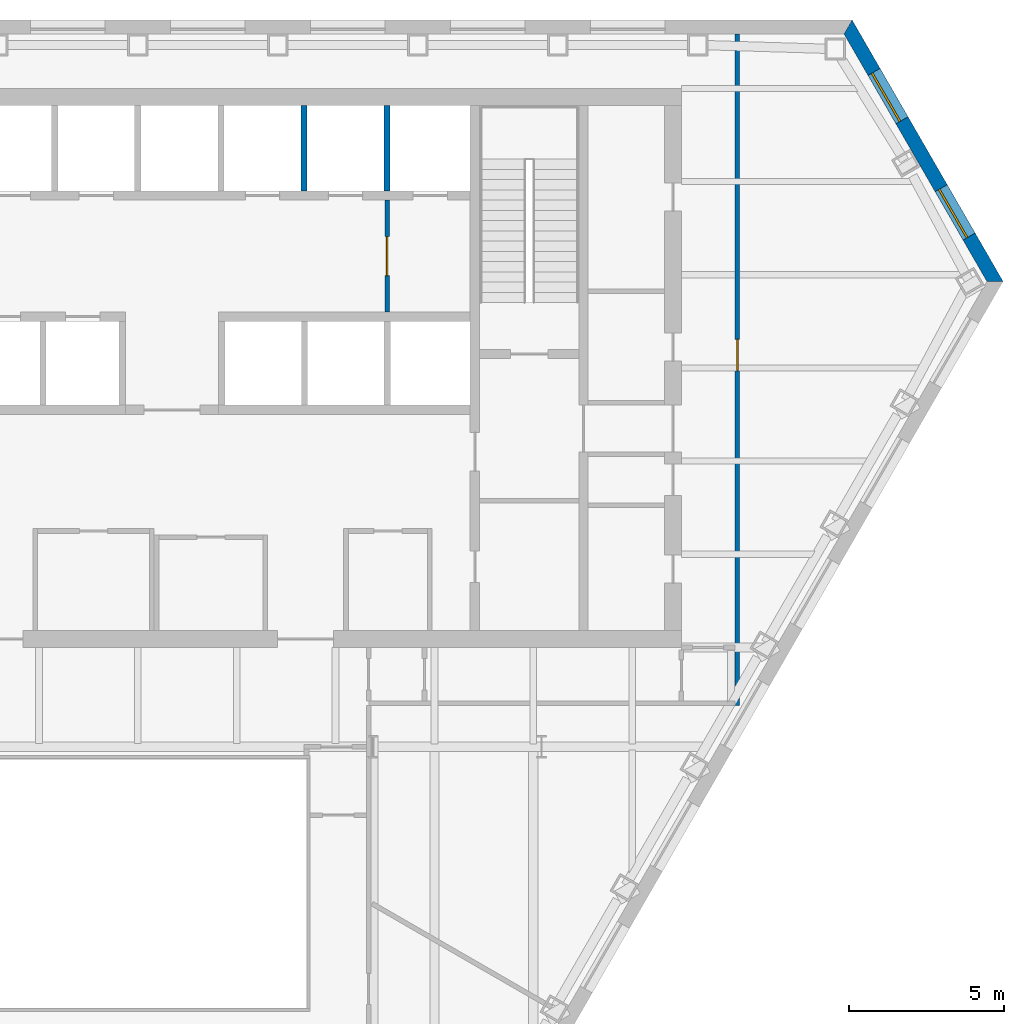
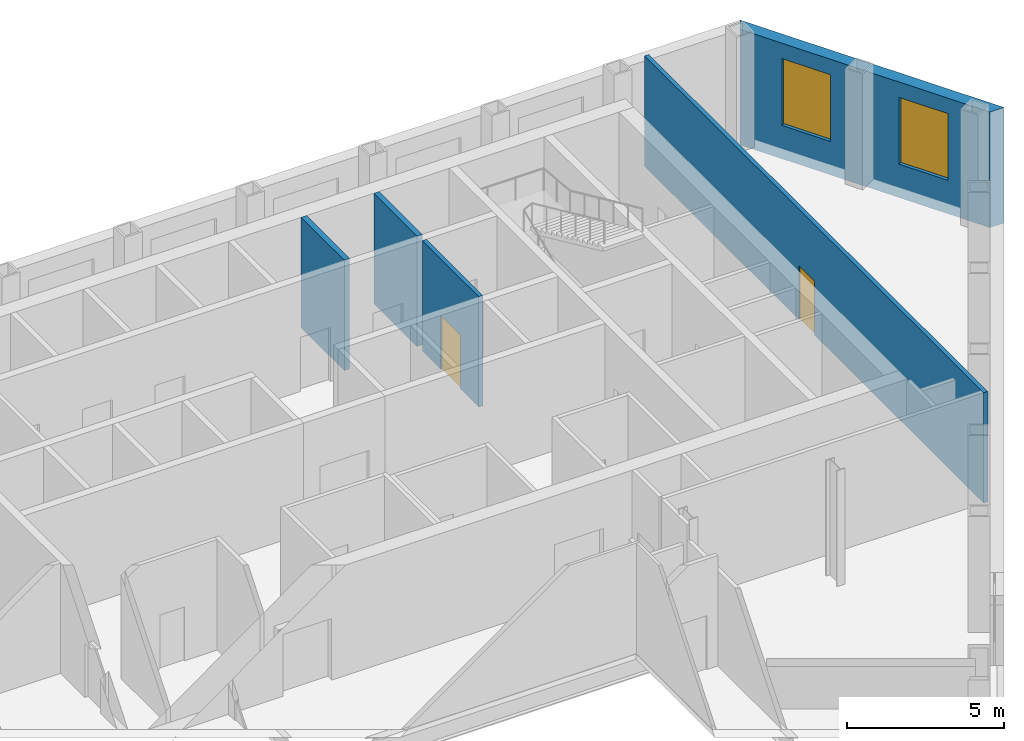
# One storey, part 9 of 12: 5 walls, 2 doors, 2 windows, 4 openings.
"""IFC4 building model written with IfcOpenShell, lengths in metres."""

from ifc_helpers import new_model, si_unit, direction, frame, frame_2d, origin, place, context, subcontext, project, spatial, polyline, rectangle, outline, extrude, material, layer, layer_set, type_object, element, fill, save


model = new_model("IFC4")

# Units and contexts
model_context = context("Model", 3, precision=1e-05, world=origin(), true_north=direction((0.0, 1.0)))
body_context = subcontext(model_context, "Body", "Model", "MODEL_VIEW")
ifc_project = project(units=[si_unit("LENGTHUNIT", "METRE"), si_unit("AREAUNIT", "SQUARE_METRE"), si_unit("VOLUMEUNIT", "CUBIC_METRE"), si_unit("PLANEANGLEUNIT", "RADIAN"), si_unit("MASSUNIT", "GRAM", prefix="KILO")], contexts=[model_context])

# Site, building, storey
site_placement = place(None, origin())
site = spatial("IfcSite", under=ifc_project, at=site_placement, CompositionType="ELEMENT")
building_placement = place(site_placement, origin())
building = spatial("IfcBuilding", under=site, at=building_placement, Name="Njiva Tower", CompositionType="ELEMENT")
storey_placement = place(building_placement, frame((0.0, 0.0, 111.3)))
storey = spatial("IfcBuildingStorey", under=building, at=storey_placement, Name="L23", CompositionType="ELEMENT", Elevation=111.3)

# Wall, opening, door
ifc_material_1 = material(Name="Blockwork", Category="masonry")
ifc_layer_1 = layer(ifc_material_1, 0.15)
ifc_layer_set_1 = layer_set([ifc_layer_1], Name="Blockwork")
wall_type_1 = type_object("IfcWallType", Name="WT2 Lobby partition 150", PredefinedType="PARTITIONING", material=ifc_layer_set_1)
wall_1_placement = place(storey_placement, frame((8.025, 10.8, 0.0), z_axis=(0.0, 0.0, 1.0), x_axis=(0.0, 1.0, 0.0)))
wall_1 = element("IfcWall", 1, at=wall_1_placement, inside=storey, type_object=wall_type_1, Name="Firefighting lobby wall B", PredefinedType="PARTITIONING", context=body_context, shape_type="SweptSolid", body=[
    extrude(rectangle(XDim=3.6, YDim=0.15, at=frame_2d((1.8, 0.0))), origin(), (0.0, 0.0, 1.0), 4.3),
])
opening_1_placement = place(wall_1_placement, frame((1.175, 0.0, 0.0)))
opening_1 = element("IfcOpeningElement", 2, at=opening_1_placement, cuts=wall_1, Name="Opening S08-D916", PredefinedType="OPENING", context=body_context, shape_type="SweptSolid", body=[
    extrude(rectangle(XDim=1.25, YDim=2.1, at=frame_2d((0.625, 1.05))), frame((0.0, 0.085, 0.0), z_axis=(0.0, -1.0, 0.0), x_axis=(1.0, 0.0, 0.0)), (0.0, 0.0, 1.0), 0.17),
])
ifc_material_2 = material(Name="Glazed steel fire door", Category="steel")
door_type_1 = type_object("IfcDoorType", Name="D8 Vestibule corridor door 1250x2100 glazed", OperationType="SINGLE_SWING_LEFT", PredefinedType="DOOR", material=ifc_material_2)
door_1_placement = place(opening_1_placement, origin())
door_1 = element("IfcDoor", 3, at=door_1_placement, inside=storey, type_object=door_type_1, Name="Stair vestibule corridor door", OperationType="SINGLE_SWING_LEFT", OverallHeight=2.1, OverallWidth=1.25, PredefinedType="DOOR", context=body_context, shape_type="SweptSolid", body=[
    extrude(rectangle(XDim=1.25, YDim=2.1, at=frame_2d((0.625, 1.05))), frame((0.0, 0.025, 0.0), z_axis=(0.0, -1.0, 0.0), x_axis=(1.0, 0.0, 0.0)), (0.0, 0.0, 1.0), 0.05),
])
fill(opening_1, door_1)

ifc_material_3 = material(Name="Gypsum board on steel studs", Category="gypsum")
ifc_layer_2 = layer(ifc_material_3, 0.15)
ifc_layer_set_2 = layer_set([ifc_layer_2], Name="Gypsum board on steel studs")
wall_type_2 = type_object("IfcWallType", Name="WT21 Compartment wall 150", PredefinedType="PARTITIONING", material=ifc_layer_set_2)
wall_2_placement = place(storey_placement, frame((19.3, -1.875, 0.0), z_axis=(0.0, 0.0, 1.0), x_axis=(0.0, 1.0, 0.0)))
wall_2 = element("IfcWall", 4, at=wall_2_placement, inside=storey, type_object=wall_type_2, Name="Partition S08-P026", PredefinedType="PARTITIONING", context=body_context, shape_type="SweptSolid", body=[
    extrude(rectangle(XDim=21.625, YDim=0.15, at=frame_2d((10.8125, 0.0))), origin(), (0.0, 0.0, 1.0), 4.3),
])
opening_2_placement = place(wall_2_placement, frame((10.791, 0.0, 0.0)))
opening_2 = element("IfcOpeningElement", 5, at=opening_2_placement, cuts=wall_2, Name="Opening S08-D018", PredefinedType="OPENING", context=body_context, shape_type="SweptSolid", body=[
    extrude(rectangle(XDim=1.0, YDim=2.1, at=frame_2d((0.5, 1.05))), frame((0.0, 0.085, 0.0), z_axis=(0.0, -1.0, 0.0), x_axis=(1.0, 0.0, 0.0)), (0.0, 0.0, 1.0), 0.17),
])
ifc_material_4 = material(Name="Steel fire door set", Category="steel")
door_type_2 = type_object("IfcDoorType", Name="D37 Fire door 1000x2100", OperationType="SINGLE_SWING_LEFT", PredefinedType="DOOR", material=ifc_material_4)
door_2_placement = place(opening_2_placement, origin())
door_2 = element("IfcDoor", 6, at=door_2_placement, inside=storey, type_object=door_type_2, Name="Door S08-D018", OperationType="SINGLE_SWING_RIGHT", OverallHeight=2.1, OverallWidth=1.0, PredefinedType="DOOR", context=body_context, shape_type="SweptSolid", body=[
    extrude(rectangle(XDim=1.0, YDim=2.1, at=frame_2d((0.5, 1.05))), frame((0.0, 0.025, 0.0), z_axis=(0.0, -1.0, 0.0), x_axis=(1.0, 0.0, 0.0)), (0.0, 0.0, 1.0), 0.05),
])
fill(opening_2, door_2)

# Walls
ifc_material_5 = material(Name="Concrete C40/50", Category="concrete")
ifc_layer_3 = layer(ifc_material_5, 0.2)
ifc_layer_set_3 = layer_set([ifc_layer_3], Name="Concrete C40/50")
wall_type_3 = type_object("IfcWallType", Name="WT6 Lift shaft wall 200", PredefinedType="SHEAR", material=ifc_layer_set_3)
for number, where, z_axis, x_axis, name in (
    (7, (5.35, 14.7, 0.0), (0.0, 0.0, 1.0), (0.0, 1.0, 0.0), "Shaft wall CN6"),
    (8, (8.025, 14.7, 0.0), (0.0, 0.0, 1.0), (0.0, 1.0, 0.0), "Shaft wall CN7"),
):
    element("IfcWall", number, at=place(storey_placement, frame(where, z_axis=z_axis, x_axis=x_axis)), inside=storey, type_object=wall_type_3, Name=name, PredefinedType="SHEAR", context=body_context, shape_type="SweptSolid", body=[
        extrude(rectangle(XDim=2.75, YDim=0.2, at=frame_2d((1.375, 0.0))), origin(), (0.0, 0.0, 1.0), 4.3),
    ])

# Wall, openings, windows
ifc_material_6 = material(Name="Brick masonry, buff", Category="masonry")
ifc_layer_4 = layer(ifc_material_6, 0.45)
ifc_layer_set_4 = layer_set([ifc_layer_4], Name="Brick masonry, buff")
wall_type_4 = type_object("IfcWallType", Name="WT94 Brick pier and spandrel wall 450, buff", PredefinedType="SOLIDWALL", material=ifc_layer_set_4)
wall_3_placement = place(storey_placement, frame((27.5989, 11.7844, -0.4), z_axis=(0.0, 0.0, 1.0), x_axis=(-0.499998788182, 0.866026103427, 0.0)))
wall_3 = element("IfcWall", 9, at=wall_3_placement, inside=storey, type_object=wall_type_4, Name="Facade wall NE", PredefinedType="SOLIDWALL", context=body_context, shape_type="SweptSolid", body=[
    extrude(outline(polyline([(-0.1299, -0.225), (9.5901, -0.225), (9.3303, 0.225), (0.1299, 0.225), (-0.1299, -0.225)])), origin(), (0.0, 0.0, 1.0), 4.5),
])
opening_3_placement = place(wall_3_placement, frame((1.6694, 0.0, 1.3)))
opening_3 = element("IfcOpeningElement", 10, at=opening_3_placement, cuts=wall_3, Name="Opening S08-W33", PredefinedType="OPENING", context=body_context, shape_type="SweptSolid", body=[
    extrude(rectangle(XDim=1.8, YDim=2.6, at=frame_2d((0.9, 1.3))), frame((0.0, 0.235, 0.0), z_axis=(0.0, -1.0, 0.0), x_axis=(1.0, 0.0, 0.0)), (0.0, 0.0, 1.0), 0.47),
])
opening_4_placement = place(wall_3_placement, frame((5.9907, 0.0, 1.3)))
opening_4 = element("IfcOpeningElement", 11, at=opening_4_placement, cuts=wall_3, Name="Opening S08-W34", PredefinedType="OPENING", context=body_context, shape_type="SweptSolid", body=[
    extrude(rectangle(XDim=1.8, YDim=2.6, at=frame_2d((0.9, 1.3))), frame((0.0, 0.235, 0.0), z_axis=(0.0, -1.0, 0.0), x_axis=(1.0, 0.0, 0.0)), (0.0, 0.0, 1.0), 0.47),
])
ifc_material_7 = material(Name="Clear glazing in aluminium frame", Category="aluminium")
window_type = type_object("IfcWindowType", Name="W96 Deep-set window 1800x2600", PartitioningType="SINGLE_PANEL", PredefinedType="WINDOW", material=ifc_material_7)
window_1_placement = place(opening_3_placement, origin())
window_1 = element("IfcWindow", 12, at=window_1_placement, inside=storey, type_object=window_type, Name="Window", OverallHeight=2.6, OverallWidth=1.8, PartitioningType="SINGLE_PANEL", PredefinedType="WINDOW", context=body_context, shape_type="SweptSolid", body=[
    extrude(rectangle(XDim=1.8, YDim=2.6, at=frame_2d((0.9, 1.3))), frame((0.0, 0.105, 0.0), z_axis=(0.0, -1.0, 0.0), x_axis=(1.0, 0.0, 0.0)), (0.0, 0.0, 1.0), 0.06),
])
fill(opening_3, window_1)
window_2_placement = place(opening_4_placement, origin())
window_2 = element("IfcWindow", 13, at=window_2_placement, inside=storey, type_object=window_type, Name="Window", OverallHeight=2.6, OverallWidth=1.8, PartitioningType="SINGLE_PANEL", PredefinedType="WINDOW", context=body_context, shape_type="SweptSolid", body=[
    extrude(rectangle(XDim=1.8, YDim=2.6, at=frame_2d((0.9, 1.3))), frame((0.0, 0.105, 0.0), z_axis=(0.0, -1.0, 0.0), x_axis=(1.0, 0.0, 0.0)), (0.0, 0.0, 1.0), 0.06),
])
fill(opening_4, window_2)

save(model, "model.ifc")
